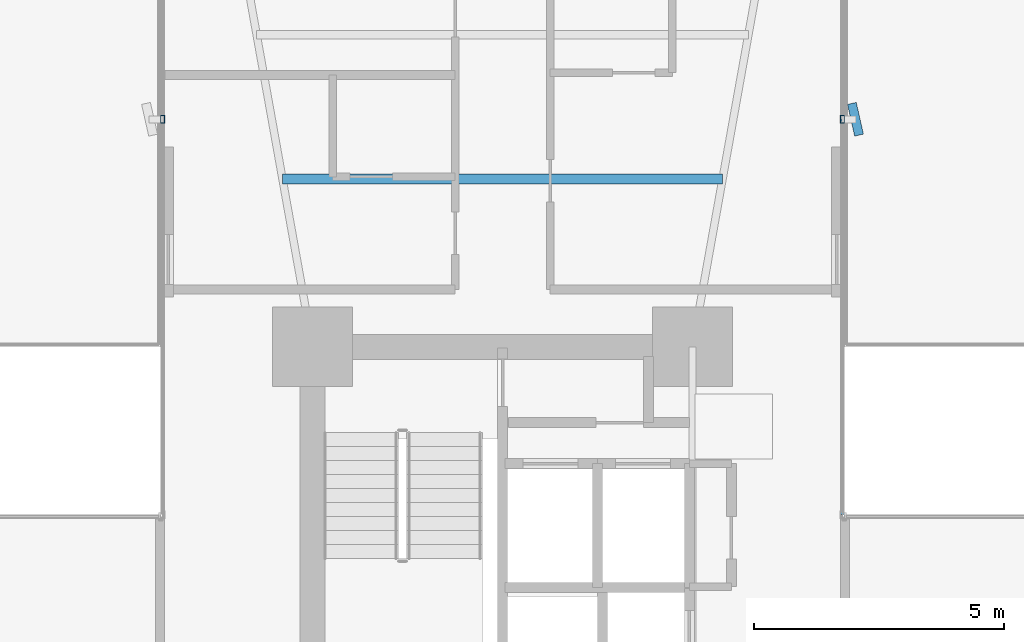
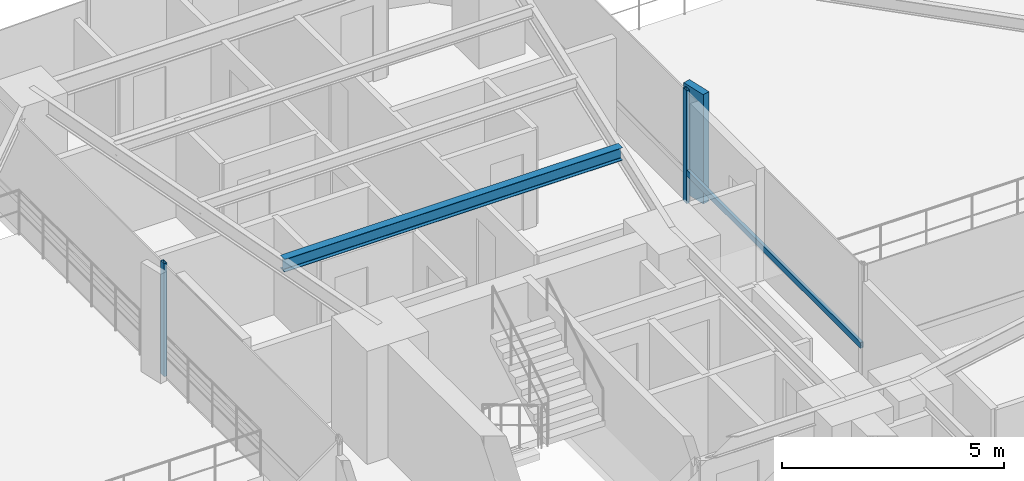
# One storey, part 17 of 27: 4 members, 1 beam, 2 elements without a shape of their own.
"""IFC4 building model written with IfcOpenShell, lengths in metres."""

from ifc_helpers import new_model, si_unit, direction, frame, origin, origin_2d, place, context, subcontext, project, spatial, rectangle, hollow_rectangle, i_section, extrude, source, transform, mapped, material, material_profile, profile_set, type_object, element, aggregate, save


model = new_model("IFC4")

# Units and contexts
model_context = context("Model", 3, precision=1e-05, world=origin(), true_north=direction((0.0, 1.0)))
body_context = subcontext(model_context, "Body", "Model", "MODEL_VIEW")
ifc_project = project(units=[si_unit("LENGTHUNIT", "METRE"), si_unit("AREAUNIT", "SQUARE_METRE"), si_unit("VOLUMEUNIT", "CUBIC_METRE"), si_unit("PLANEANGLEUNIT", "RADIAN"), si_unit("MASSUNIT", "GRAM", prefix="KILO")], contexts=[model_context])

# Site, building, storey
site_placement = place(None, origin())
site = spatial("IfcSite", under=ifc_project, at=site_placement, CompositionType="ELEMENT")
building_placement = place(site_placement, origin())
building = spatial("IfcBuilding", under=site, at=building_placement, Name="Sahyath Konkavel Grand Hotel", CompositionType="ELEMENT")
storey_placement = place(building_placement, frame((0.0, 0.0, 23.10009765625)))
storey = spatial("IfcBuildingStorey", under=building, at=storey_placement, Name="L05", CompositionType="ELEMENT", Elevation=23.10009765625)

# Beam
ifc_material_1 = material(Name="Steel E350", Category="steel")
ifc_material_profile_1 = material_profile(ifc_material_1, i_section(OverallWidth=0.199951171875, OverallDepth=0.35009765625, WebThickness=0.008056640625, FlangeThickness=0.011474609375, FilletRadius=0.013916015625, at=origin_2d()), Name="ISWB 350")
ifc_profile_set_1 = profile_set([ifc_material_profile_1], Name="Steel E350")
beam_type = type_object("IfcBeamType", Name="BM-ISWB350", PredefinedType="BEAM", material=ifc_profile_set_1)
shared_shape_1 = source(origin(), body_context, "Body", "SweptSolid", [
    extrude(i_section(OverallWidth=0.199951171875, OverallDepth=0.35009765625, WebThickness=0.008056640625, FlangeThickness=0.011474609375, FilletRadius=0.013916015625, at=origin_2d()), origin(), (0.0, 0.0, 1.0), 8.80419921875),
])
beam_placement = place(storey_placement, frame((4.402099609375, 13.56005859375, 2.934814453125), z_axis=(-1.0, 0.0, 0.0), x_axis=(0.0, -1.0, 0.0)))
element("IfcBeam", 1, at=beam_placement, inside=storey, type_object=beam_type, Name="L05 Secondary Floor Beam N-1", PredefinedType="BEAM", context=body_context, shape_type="MappedRepresentation", body=[
    mapped(shared_shape_1, transform((0.0, 0.0, 0.0), scale=1.0)),
])

# Curtain wall, member
ifc_material_2 = material(Name="Anodised Bronze Aluminium & Low-E Glazing", Category="aluminium")
curtain_wall_type = type_object("IfcCurtainWallType", Name="CW-ZONE1", PredefinedType="NOTDEFINED", material=ifc_material_2)
curtain_wall_1_placement = place(storey_placement, origin())
curtain_wall_1 = element("IfcCurtainWall", 2, at=curtain_wall_1_placement, inside=storey, type_object=curtain_wall_type, Name="L05 Unitised Curtain Wall F8", PredefinedType="NOTDEFINED")
ifc_material_3 = material(Name="Anodised Bronze Aluminium", Category="aluminium")
ifc_material_profile_2 = material_profile(ifc_material_3, hollow_rectangle(XDim=0.080078125, YDim=0.159912109375, WallThickness=0.006103515625, at=origin_2d()), Name="RHS 160x80x6")
ifc_profile_set_2 = profile_set([ifc_material_profile_2], Name="Anodised Bronze Aluminium")
member_type_1 = type_object("IfcMemberType", Name="CW-MUL-160", PredefinedType="MULLION", material=ifc_profile_set_2)
shared_shape_2 = source(origin(), body_context, "Body", "SweptSolid", [
    extrude(hollow_rectangle(XDim=0.080078125, YDim=0.159912109375, WallThickness=0.006103515625, at=origin_2d()), origin(), (0.0, 0.0, 1.0), 3.10986328125),
])
member_1_placement = place(storey_placement, frame((6.800048828125, 14.75, 0.0), z_axis=(0.0, 0.0, 1.0), x_axis=(1.0, 0.0, 0.0)))
member_1 = element("IfcMember", 3, at=member_1_placement, type_object=member_type_1, Name="L05 Curtain Wall Mullion F8-1", PredefinedType="MULLION", context=body_context, shape_type="MappedRepresentation", body=[
    mapped(shared_shape_2, transform((0.0, 0.0, 0.0), scale=1.0)),
])

curtain_wall_2_placement = place(storey_placement, origin())
curtain_wall_2 = element("IfcCurtainWall", 4, at=curtain_wall_2_placement, inside=storey, type_object=curtain_wall_type, Name="L05 Unitised Curtain Wall F15", PredefinedType="NOTDEFINED")
member_2_placement = place(storey_placement, frame((-6.800048828125, 14.75, 0.0), z_axis=(0.0, 0.0, 1.0), x_axis=(1.0, 0.0, 0.0)))
member_2 = element("IfcMember", 5, at=member_2_placement, type_object=member_type_1, Name="L05 Curtain Wall Mullion F15-1", PredefinedType="MULLION", context=body_context, shape_type="MappedRepresentation", body=[
    mapped(shared_shape_2, transform((0.0, 0.0, 0.0), scale=1.0)),
])
aggregate(curtain_wall_2, [member_2])

# Member
ifc_material_4 = material(Name="Warm Buff Sandstone Cladding on Concrete C50/60", Category="masonry")
ifc_material_profile_3 = material_profile(ifc_material_4, rectangle(XDim=0.179931640625, YDim=0.64990234375, at=origin_2d()), Name="FIN 180x650")
ifc_profile_set_3 = profile_set([ifc_material_profile_3], Name="Warm Buff Sandstone Cladding on Concrete C50/60")
member_type_2 = type_object("IfcMemberType", Name="FIN-SANDSTONE-650", PredefinedType="MULLION", material=ifc_profile_set_3)
shared_shape_3 = source(origin(), body_context, "Body", "SweptSolid", [
    extrude(rectangle(XDim=0.179931640625, YDim=0.64990234375, at=origin_2d()), origin(), (0.0, 0.0, 1.0), 3.010009765625),
])
member_3_placement = place(storey_placement, frame((7.06005859375, 14.75, 0.0498046875), z_axis=(0.0, 0.0, 1.0), x_axis=(0.975419299024, 0.220356962886, 0.0)))
member_3 = element("IfcMember", 6, at=member_3_placement, type_object=member_type_2, Name="L05 Sandstone Vertical Solar Fin FIN F8-1", PredefinedType="MULLION", context=body_context, shape_type="MappedRepresentation", body=[
    mapped(shared_shape_3, transform((0.0, 0.0, 0.0), scale=1.0)),
])

ifc_material_profile_4 = material_profile(ifc_material_3, hollow_rectangle(XDim=0.080078125, YDim=0.159912109375, WallThickness=0.006103515625, at=origin_2d()), Name="RHS 160x80x6")
ifc_profile_set_4 = profile_set([ifc_material_profile_4], Name="Anodised Bronze Aluminium")
member_type_3 = type_object("IfcMemberType", Name="CW-TRN-160", PredefinedType="USERDEFINED", material=ifc_profile_set_4)
shared_shape_4 = source(origin(), body_context, "Body", "SweptSolid", [
    extrude(hollow_rectangle(XDim=0.080078125, YDim=0.159912109375, WallThickness=0.006103515625, at=origin_2d()), origin(), (0.0, 0.0, 1.0), 7.909912109375),
])
member_4_placement = place(storey_placement, frame((6.800048828125, 6.840087890625, 0.849853515625), z_axis=(0.0, 1.0, 0.0), x_axis=(-1.0, 0.0, 0.0)))
member_4 = element("IfcMember", 7, at=member_4_placement, type_object=member_type_3, Name="L05 Curtain Wall Transom F8-0-spandrel", ObjectType="TRANSOM", PredefinedType="USERDEFINED", context=body_context, shape_type="MappedRepresentation", body=[
    mapped(shared_shape_4, transform((0.0, 0.0, 0.0), scale=1.0)),
])

aggregate(curtain_wall_1, [member_1, member_3, member_4])

save(model, "model.ifc")
